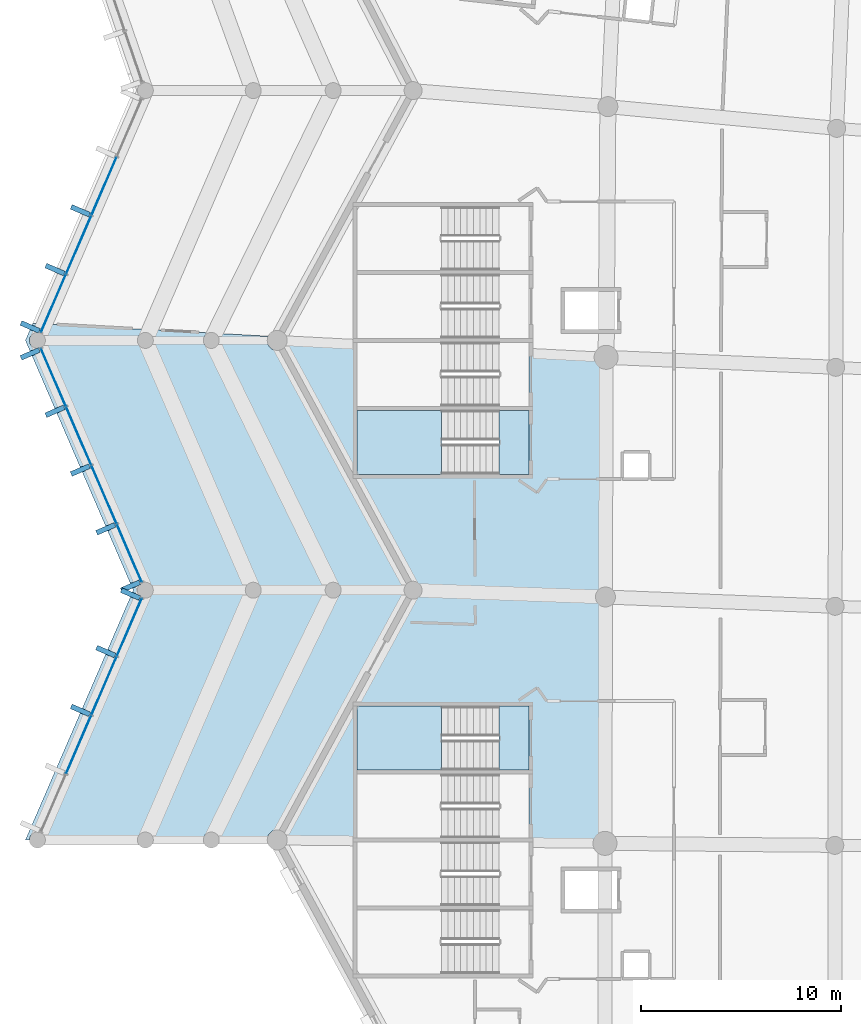
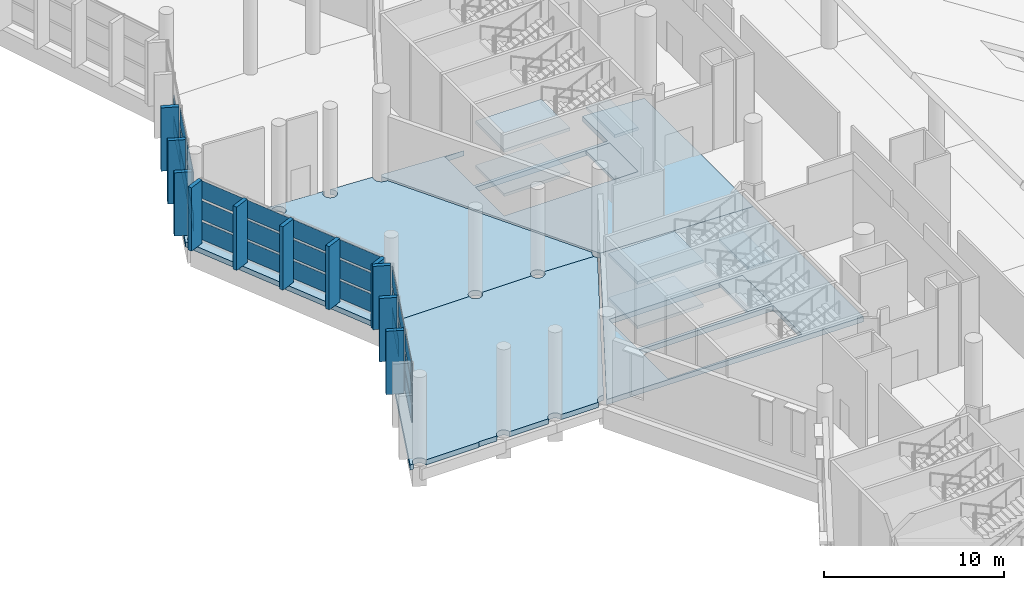
# One storey, part 117 of 249: 40 plates, 12 slabs, 5 elements without a shape of their own.
"""IFC4 building model written with IfcOpenShell, lengths in metres."""

from ifc_helpers import new_model, si_unit, direction, frame, origin, origin_2d, place, context, subcontext, project, spatial, polyline, rectangle, outline, extrude, material, layer, layer_set, type_object, element, aggregate, save


model = new_model("IFC4")

# Units and contexts
model_context = context("Model", 3, precision=1e-05, world=origin(), true_north=direction((0.0, 1.0)))
body_context = subcontext(model_context, "Body", "Model", "MODEL_VIEW")
ifc_project = project(units=[si_unit("LENGTHUNIT", "METRE"), si_unit("AREAUNIT", "SQUARE_METRE"), si_unit("VOLUMEUNIT", "CUBIC_METRE"), si_unit("PLANEANGLEUNIT", "RADIAN"), si_unit("MASSUNIT", "GRAM", prefix="KILO")], contexts=[model_context])

# Site, building, storey
site_placement = place(None, origin())
site = spatial("IfcSite", under=ifc_project, at=site_placement, CompositionType="ELEMENT")
building_placement = place(site_placement, origin())
building = spatial("IfcBuilding", under=site, at=building_placement, Name="Meseta Stadium", CompositionType="ELEMENT")
storey_placement = place(building_placement, frame((0.0, 0.0, 12.0)))
storey = spatial("IfcBuildingStorey", under=building, at=storey_placement, Name="L02", CompositionType="ELEMENT", Elevation=12.0)

# Slabs
ifc_material_1 = material(Name="Concrete C40/50", Category="concrete")
ifc_layer_1 = layer(ifc_material_1, 0.35009765625)
ifc_layer_set_1 = layer_set([ifc_layer_1], Name="Floor slab 350")
slab_type_1 = type_object("IfcSlabType", Name="Floor slab 350", PredefinedType="FLOOR", material=ifc_layer_set_1)
slab_1_placement = place(storey_placement, frame((0.0, 0.0, -0.35009765625)))
element("IfcSlab", 1, at=slab_1_placement, inside=storey, type_object=slab_type_1, Name="Floor slab L02 sector 28 panel 06", PredefinedType="FLOOR", context=body_context, shape_type="SweptSolid", body=[
    extrude(outline(polyline([(-96.176025390625, 31.14990234375), (-101.301513671875, 31.430908203125), (-101.39990234375, 31.25), (-94.60009765625, 18.75), (-84.97314453125, 18.41064453125), (-84.939697265625, 30.533935546875), (-88.800048828125, 30.74560546875), (-88.800048828125, 27.949951171875), (-97.39990234375, 27.949951171875), (-97.39990234375, 31.14990234375), (-96.176025390625, 31.14990234375)]), holes=[polyline([(-97.39990234375, 27.75), (-88.800048828125, 27.75), (-88.800048828125, 24.550048828125), (-97.39990234375, 24.550048828125), (-97.39990234375, 27.75)])]), origin(), (0.0, 0.0, 1.0), 0.35009765625),
])
slab_2_placement = place(storey_placement, frame((0.0, 0.0, -0.35009765625)))
element("IfcSlab", 2, at=slab_2_placement, inside=storey, type_object=slab_type_1, Name="Floor slab L02 sector 28 panel 07", PredefinedType="FLOOR", context=body_context, shape_type="SweptSolid", body=[
    extrude(outline(polyline([(-88.800048828125, 6.14990234375), (-88.800048828125, 6.149169921875), (-84.99755859375, 6.107421875), (-84.97314453125, 18.41064453125), (-94.60009765625, 18.75), (-101.3798828125, 6.287109375), (-88.8798828125, 6.14990234375), (-88.800048828125, 6.14990234375)]), holes=[polyline([(-88.800048828125, 6.35009765625), (-97.39990234375, 6.35009765625), (-97.39990234375, 9.550048828125), (-88.800048828125, 9.550048828125), (-88.800048828125, 6.35009765625)]), polyline([(-88.800048828125, 9.75), (-97.39990234375, 9.75), (-97.39990234375, 12.949951171875), (-88.800048828125, 12.949951171875), (-88.800048828125, 9.75)])]), origin(), (0.0, 0.0, 1.0), 0.35009765625),
])
slab_3_placement = place(storey_placement, frame((0.0, 0.0, -0.35009765625)))
element("IfcSlab", 3, at=slab_3_placement, inside=storey, type_object=slab_type_1, Name="Ring floor slab L02 4 part 1 panel 01", PredefinedType="FLOOR", context=body_context, shape_type="SweptSolid", body=[
    extrude(outline(polyline([(-104.3505859375, 31.04833984375), (-104.414794921875, 30.964599609375), (-104.498291015625, 30.900634765625), (-104.595703125, 30.8603515625), (-104.699951171875, 30.846435546875), (-104.804443359375, 30.8603515625), (-104.901611328125, 30.900634765625), (-104.9853515625, 30.964599609375), (-105.04931640625, 31.04833984375), (-105.089599609375, 31.1455078125), (-105.103515625, 31.25), (-105.089599609375, 31.3544921875), (-105.04931640625, 31.45166015625), (-104.9853515625, 31.535400390625), (-104.901611328125, 31.599365234375), (-104.83984375, 31.625), (-113.6298828125, 32.10693359375), (-114.0, 31.25), (-108.752685546875, 19.103759765625), (-108.218994140625, 19.086181640625), (-108.20166015625, 19.099365234375), (-108.1044921875, 19.1396484375), (-108.0, 19.153564453125), (-107.8955078125, 19.1396484375), (-107.79833984375, 19.099365234375), (-107.714599609375, 19.035400390625), (-107.650634765625, 18.95166015625), (-107.6103515625, 18.8544921875), (-107.596435546875, 18.75), (-103.00341796875, 18.75), (-102.98974609375, 18.8544921875), (-102.949462890625, 18.95166015625), (-102.88525390625, 19.035400390625), (-102.8017578125, 19.099365234375), (-102.704345703125, 19.1396484375), (-102.60009765625, 19.153564453125), (-102.49560546875, 19.1396484375), (-102.398193359375, 19.099365234375), (-102.314697265625, 19.035400390625), (-102.25048828125, 18.95166015625), (-102.224609375, 18.888916015625), (-102.210205078125, 18.8544921875), (-102.196533203125, 18.75), (-99.00341796875, 18.75), (-98.98974609375, 18.8544921875), (-98.949462890625, 18.95166015625), (-98.88525390625, 19.035400390625), (-98.8017578125, 19.099365234375), (-98.704345703125, 19.1396484375), (-98.60009765625, 19.153564453125), (-98.49560546875, 19.1396484375), (-98.398193359375, 19.099365234375), (-98.314697265625, 19.035400390625), (-98.25048828125, 18.95166015625), (-98.210205078125, 18.8544921875), (-98.197509765625, 18.756591796875), (-95.041015625, 18.652587890625), (-95.053955078125, 18.75), (-95.038330078125, 18.867431640625), (-94.9931640625, 18.976806640625), (-94.935302734375, 19.05224609375), (-101.30322265625, 30.75830078125), (-101.39990234375, 30.74560546875), (-101.530517578125, 30.762939453125), (-101.652099609375, 30.813232421875), (-101.756591796875, 30.893310546875), (-101.836669921875, 30.997802734375), (-101.88720703125, 31.119384765625), (-101.904296875, 31.25), (-101.88720703125, 31.380615234375), (-101.853515625, 31.461181640625), (-104.517333984375, 31.607421875), (-104.498291015625, 31.599365234375), (-104.414794921875, 31.535400390625), (-104.3505859375, 31.45166015625), (-104.310302734375, 31.3544921875), (-104.29638671875, 31.25), (-104.310302734375, 31.1455078125), (-104.3505859375, 31.04833984375)]), holes=[polyline([(-107.8955078125, 30.8603515625), (-108.0, 30.846435546875), (-108.1044921875, 30.8603515625), (-108.20166015625, 30.900634765625), (-108.285400390625, 30.964599609375), (-108.349365234375, 31.04833984375), (-108.3896484375, 31.1455078125), (-108.403564453125, 31.25), (-108.3896484375, 31.3544921875), (-108.349365234375, 31.45166015625), (-108.285400390625, 31.535400390625), (-108.20166015625, 31.599365234375), (-108.1044921875, 31.6396484375), (-108.0, 31.653564453125), (-107.8955078125, 31.6396484375), (-107.79833984375, 31.599365234375), (-107.714599609375, 31.535400390625), (-107.650634765625, 31.45166015625), (-107.6103515625, 31.3544921875), (-107.596435546875, 31.25), (-107.6103515625, 31.1455078125), (-107.650634765625, 31.04833984375), (-107.714599609375, 30.964599609375), (-107.79833984375, 30.900634765625), (-107.8955078125, 30.8603515625)]), polyline([(-113.601806640625, 30.900634765625), (-113.685302734375, 30.964599609375), (-113.74951171875, 31.04833984375), (-113.789794921875, 31.1455078125), (-113.803466796875, 31.25), (-113.789794921875, 31.3544921875), (-113.74951171875, 31.45166015625), (-113.685302734375, 31.535400390625), (-113.601806640625, 31.599365234375), (-113.50439453125, 31.6396484375), (-113.39990234375, 31.653564453125), (-113.295654296875, 31.6396484375), (-113.1982421875, 31.599365234375), (-113.11474609375, 31.535400390625), (-113.050537109375, 31.45166015625), (-113.01025390625, 31.3544921875), (-112.99658203125, 31.25), (-113.01025390625, 31.1455078125), (-113.050537109375, 31.04833984375), (-113.11474609375, 30.964599609375), (-113.1982421875, 30.900634765625), (-113.295654296875, 30.8603515625), (-113.39990234375, 30.846435546875), (-113.50439453125, 30.8603515625), (-113.601806640625, 30.900634765625)])]), origin(), (0.0, 0.0, 1.0), 0.35009765625),
])
slab_4_placement = place(storey_placement, frame((0.0, 0.0, -0.35009765625)))
element("IfcSlab", 4, at=slab_4_placement, inside=storey, type_object=slab_type_1, Name="Ring floor slab L02 4 part 1 panel 02", PredefinedType="FLOOR", context=body_context, shape_type="SweptSolid", body=[
    extrude(outline(polyline([(-112.99658203125, 6.25), (-109.60009765625, 6.25), (-109.593994140625, 6.29150390625), (-108.39794921875, 6.29150390625), (-108.3896484375, 6.3544921875), (-108.349365234375, 6.45166015625), (-108.285400390625, 6.535400390625), (-108.20166015625, 6.599365234375), (-108.1044921875, 6.6396484375), (-108.0, 6.653564453125), (-107.8955078125, 6.6396484375), (-107.79833984375, 6.599365234375), (-107.714599609375, 6.535400390625), (-107.650634765625, 6.45166015625), (-107.610595703125, 6.35546875), (-107.60205078125, 6.29150390625), (-105.097900390625, 6.29150390625), (-105.089599609375, 6.3544921875), (-105.04931640625, 6.45166015625), (-104.9853515625, 6.535400390625), (-104.901611328125, 6.599365234375), (-104.804443359375, 6.6396484375), (-104.699951171875, 6.653564453125), (-104.595703125, 6.6396484375), (-104.498291015625, 6.599365234375), (-104.414794921875, 6.535400390625), (-104.3505859375, 6.45166015625), (-104.310302734375, 6.3544921875), (-104.302001953125, 6.29150390625), (-101.898681640625, 6.29150390625), (-101.88720703125, 6.380615234375), (-101.836669921875, 6.502197265625), (-101.756591796875, 6.606689453125), (-101.652099609375, 6.686767578125), (-101.530517578125, 6.737060546875), (-101.39990234375, 6.75439453125), (-101.30322265625, 6.74169921875), (-94.935302734375, 18.44775390625), (-94.9931640625, 18.523193359375), (-95.038330078125, 18.632568359375), (-95.041015625, 18.652587890625), (-98.197509765625, 18.756591796875), (-98.196533203125, 18.75), (-98.210205078125, 18.6455078125), (-98.25048828125, 18.54833984375), (-98.314697265625, 18.464599609375), (-98.398193359375, 18.400634765625), (-98.49560546875, 18.3603515625), (-98.60009765625, 18.346435546875), (-98.704345703125, 18.3603515625), (-98.8017578125, 18.400634765625), (-98.88525390625, 18.464599609375), (-98.949462890625, 18.54833984375), (-98.98974609375, 18.6455078125), (-99.00341796875, 18.75), (-102.196533203125, 18.75), (-102.210205078125, 18.6455078125), (-102.25048828125, 18.54833984375), (-102.314697265625, 18.464599609375), (-102.398193359375, 18.400634765625), (-102.49560546875, 18.3603515625), (-102.60009765625, 18.346435546875), (-102.704345703125, 18.3603515625), (-102.8017578125, 18.400634765625), (-102.88525390625, 18.464599609375), (-102.949462890625, 18.54833984375), (-102.98974609375, 18.6455078125), (-103.00341796875, 18.75), (-107.596435546875, 18.75), (-107.6103515625, 18.6455078125), (-107.650634765625, 18.54833984375), (-107.714599609375, 18.464599609375), (-107.79833984375, 18.400634765625), (-107.8955078125, 18.3603515625), (-108.0, 18.346435546875), (-108.1044921875, 18.3603515625), (-108.20166015625, 18.400634765625), (-108.285400390625, 18.464599609375), (-108.349365234375, 18.54833984375), (-108.3896484375, 18.6455078125), (-108.403564453125, 18.75), (-108.3896484375, 18.8544921875), (-108.349365234375, 18.95166015625), (-108.285400390625, 19.035400390625), (-108.218994140625, 19.086181640625), (-108.752685546875, 19.103759765625), (-108.60009765625, 18.75), (-114.0, 6.25), (-113.803466796875, 6.25), (-113.789794921875, 6.3544921875), (-113.761474609375, 6.4228515625), (-113.74951171875, 6.45166015625), (-113.685302734375, 6.535400390625), (-113.601806640625, 6.599365234375), (-113.50439453125, 6.6396484375), (-113.39990234375, 6.653564453125), (-113.295654296875, 6.6396484375), (-113.1982421875, 6.599365234375), (-113.11474609375, 6.535400390625), (-113.050537109375, 6.45166015625), (-113.035400390625, 6.414794921875), (-113.01025390625, 6.3544921875), (-112.99658203125, 6.25)])), origin(), (0.0, 0.0, 1.0), 0.35009765625),
])

# Curtain wall, plates
ifc_material_2 = material(Name="Aluminium", Category="aluminium")
ifc_layer_2 = layer(ifc_material_2, 0.199951171875)
ifc_layer_set_2 = layer_set([ifc_layer_2], Name="Ring shopfront curtain wall")
curtain_wall_type = type_object("IfcCurtainWallType", Name="Ring shopfront curtain wall", PredefinedType="NOTDEFINED", material=ifc_layer_set_2)
curtain_wall_1_placement = place(storey_placement, origin())
curtain_wall_1 = element("IfcCurtainWall", 5, at=curtain_wall_1_placement, inside=storey, type_object=curtain_wall_type, Name="Ring glazing L02 F29", PredefinedType="NOTDEFINED")
ifc_material_3 = material(Name="Glass", Category="glass")
ifc_layer_3 = layer(ifc_material_3, 0.035888671875)
ifc_layer_set_3 = layer_set([ifc_layer_3], Name="Ring CW glass panel 36")
plate_type_1 = type_object("IfcPlateType", Name="Ring CW glass panel 36", PredefinedType="CURTAIN_PANEL", material=ifc_layer_set_3)
plate_1_placement = place(storey_placement, frame((-110.064697265625, 38.970703125, 0.14990234375), z_axis=(0.0, 0.0, 1.0), x_axis=(-0.396580687073, -0.91799986854, 0.0)))
plate_1 = element("IfcPlate", 6, at=plate_1_placement, type_object=plate_type_1, Name="CWR1 panel 2.1", PredefinedType="CURTAIN_PANEL", context=body_context, shape_type="SweptSolid", body=[
    extrude(rectangle(XDim=3.14404296875, YDim=0.035888671875, at=origin_2d()), origin(), (0.0, 0.0, 1.0), 1.208251953125),
])
plate_2_placement = place(storey_placement, frame((-110.064697265625, 38.970703125, 1.50830078125), z_axis=(0.0, 0.0, 1.0), x_axis=(-0.396580687073, -0.91799986854, 0.0)))
plate_2 = element("IfcPlate", 7, at=plate_2_placement, type_object=plate_type_1, Name="CWR1 panel 2.2", PredefinedType="CURTAIN_PANEL", context=body_context, shape_type="SweptSolid", body=[
    extrude(rectangle(XDim=3.14404296875, YDim=0.035888671875, at=origin_2d()), origin(), (0.0, 0.0, 1.0), 1.283447265625),
])
plate_3_placement = place(storey_placement, frame((-111.33544921875, 36.029296875, 0.14990234375), z_axis=(0.0, 0.0, 1.0), x_axis=(-0.396580687073, -0.91799986854, 0.0)))
plate_3 = element("IfcPlate", 8, at=plate_3_placement, type_object=plate_type_1, Name="CWR1 panel 3.1", PredefinedType="CURTAIN_PANEL", context=body_context, shape_type="SweptSolid", body=[
    extrude(rectangle(XDim=3.14404296875, YDim=0.035888671875, at=origin_2d()), origin(), (0.0, 0.0, 1.0), 1.208251953125),
])
plate_4_placement = place(storey_placement, frame((-111.33544921875, 36.029296875, 1.50830078125), z_axis=(0.0, 0.0, 1.0), x_axis=(-0.396580687073, -0.91799986854, 0.0)))
plate_4 = element("IfcPlate", 9, at=plate_4_placement, type_object=plate_type_1, Name="CWR1 panel 3.2", PredefinedType="CURTAIN_PANEL", context=body_context, shape_type="SweptSolid", body=[
    extrude(rectangle(XDim=3.14404296875, YDim=0.035888671875, at=origin_2d()), origin(), (0.0, 0.0, 1.0), 1.283447265625),
])
plate_5_placement = place(storey_placement, frame((-111.33544921875, 36.029296875, 2.94189453125), z_axis=(0.0, 0.0, 1.0), x_axis=(-0.396580687073, -0.91799986854, 0.0)))
plate_5 = element("IfcPlate", 10, at=plate_5_placement, type_object=plate_type_1, Name="CWR1 panel 3.3", PredefinedType="CURTAIN_PANEL", context=body_context, shape_type="SweptSolid", body=[
    extrude(rectangle(XDim=3.14404296875, YDim=0.035888671875, at=origin_2d()), origin(), (0.0, 0.0, 1.0), 1.208251953125),
])
plate_6_placement = place(storey_placement, frame((-112.60009765625, 33.1015625, 0.14990234375), z_axis=(0.0, 0.0, 1.0), x_axis=(-0.396580687073, -0.91799986854, 0.0)))
plate_6 = element("IfcPlate", 11, at=plate_6_placement, type_object=plate_type_1, Name="CWR1 panel 4.1", PredefinedType="CURTAIN_PANEL", context=body_context, shape_type="SweptSolid", body=[
    extrude(rectangle(XDim=3.1142578125, YDim=0.035888671875, at=origin_2d()), origin(), (0.0, 0.0, 1.0), 1.208251953125),
])
plate_7_placement = place(storey_placement, frame((-112.60009765625, 33.1015625, 1.50830078125), z_axis=(0.0, 0.0, 1.0), x_axis=(-0.396580687073, -0.91799986854, 0.0)))
plate_7 = element("IfcPlate", 12, at=plate_7_placement, type_object=plate_type_1, Name="CWR1 panel 4.2", PredefinedType="CURTAIN_PANEL", context=body_context, shape_type="SweptSolid", body=[
    extrude(rectangle(XDim=3.1142578125, YDim=0.035888671875, at=origin_2d()), origin(), (0.0, 0.0, 1.0), 1.283447265625),
])
plate_8_placement = place(storey_placement, frame((-112.60009765625, 33.1015625, 2.94189453125), z_axis=(0.0, 0.0, 1.0), x_axis=(-0.396580687073, -0.91799986854, 0.0)))
plate_8 = element("IfcPlate", 13, at=plate_8_placement, type_object=plate_type_1, Name="CWR1 panel 4.3", PredefinedType="CURTAIN_PANEL", context=body_context, shape_type="SweptSolid", body=[
    extrude(rectangle(XDim=3.1142578125, YDim=0.035888671875, at=origin_2d()), origin(), (0.0, 0.0, 1.0), 1.208251953125),
])
aggregate(curtain_wall_1, [plate_1, plate_2, plate_3, plate_4, plate_5, plate_6, plate_7, plate_8])

curtain_wall_2_placement = place(storey_placement, origin())
curtain_wall_2 = element("IfcCurtainWall", 14, at=curtain_wall_2_placement, inside=storey, type_object=curtain_wall_type, Name="Ring glazing L02 F30", PredefinedType="NOTDEFINED")
plate_9_placement = place(storey_placement, frame((-112.60009765625, 29.3984375, 0.14990234375), z_axis=(0.0, 0.0, 1.0), x_axis=(0.396580687073, -0.91799986854, 0.0)))
plate_9 = element("IfcPlate", 15, at=plate_9_placement, type_object=plate_type_1, Name="CWR1 panel 1.1", PredefinedType="CURTAIN_PANEL", context=body_context, shape_type="SweptSolid", body=[
    extrude(rectangle(XDim=3.1142578125, YDim=0.035888671875, at=origin_2d()), origin(), (0.0, 0.0, 1.0), 1.208251953125),
])
plate_10_placement = place(storey_placement, frame((-112.60009765625, 29.3984375, 1.50830078125), z_axis=(0.0, 0.0, 1.0), x_axis=(0.396580687073, -0.91799986854, 0.0)))
plate_10 = element("IfcPlate", 16, at=plate_10_placement, type_object=plate_type_1, Name="CWR1 panel 1.2", PredefinedType="CURTAIN_PANEL", context=body_context, shape_type="SweptSolid", body=[
    extrude(rectangle(XDim=3.1142578125, YDim=0.035888671875, at=origin_2d()), origin(), (0.0, 0.0, 1.0), 1.283447265625),
])
plate_11_placement = place(storey_placement, frame((-112.60009765625, 29.3984375, 2.94189453125), z_axis=(0.0, 0.0, 1.0), x_axis=(0.396580687073, -0.91799986854, 0.0)))
plate_11 = element("IfcPlate", 17, at=plate_11_placement, type_object=plate_type_1, Name="CWR1 panel 1.3", PredefinedType="CURTAIN_PANEL", context=body_context, shape_type="SweptSolid", body=[
    extrude(rectangle(XDim=3.1142578125, YDim=0.035888671875, at=origin_2d()), origin(), (0.0, 0.0, 1.0), 1.208251953125),
])
plate_12_placement = place(storey_placement, frame((-111.33544921875, 26.470703125, 0.14990234375), z_axis=(0.0, 0.0, 1.0), x_axis=(0.396580687073, -0.91799986854, 0.0)))
plate_12 = element("IfcPlate", 18, at=plate_12_placement, type_object=plate_type_1, Name="CWR1 panel 2.1", PredefinedType="CURTAIN_PANEL", context=body_context, shape_type="SweptSolid", body=[
    extrude(rectangle(XDim=3.14404296875, YDim=0.035888671875, at=origin_2d()), origin(), (0.0, 0.0, 1.0), 1.208251953125),
])
plate_13_placement = place(storey_placement, frame((-111.33544921875, 26.470703125, 1.50830078125), z_axis=(0.0, 0.0, 1.0), x_axis=(0.396580687073, -0.91799986854, 0.0)))
plate_13 = element("IfcPlate", 19, at=plate_13_placement, type_object=plate_type_1, Name="CWR1 panel 2.2", PredefinedType="CURTAIN_PANEL", context=body_context, shape_type="SweptSolid", body=[
    extrude(rectangle(XDim=3.14404296875, YDim=0.035888671875, at=origin_2d()), origin(), (0.0, 0.0, 1.0), 1.283447265625),
])
plate_14_placement = place(storey_placement, frame((-111.33544921875, 26.470703125, 2.94189453125), z_axis=(0.0, 0.0, 1.0), x_axis=(0.396580687073, -0.91799986854, 0.0)))
plate_14 = element("IfcPlate", 20, at=plate_14_placement, type_object=plate_type_1, Name="CWR1 panel 2.3", PredefinedType="CURTAIN_PANEL", context=body_context, shape_type="SweptSolid", body=[
    extrude(rectangle(XDim=3.14404296875, YDim=0.035888671875, at=origin_2d()), origin(), (0.0, 0.0, 1.0), 1.208251953125),
])
plate_15_placement = place(storey_placement, frame((-110.064697265625, 23.529296875, 0.14990234375), z_axis=(0.0, 0.0, 1.0), x_axis=(0.396580687073, -0.91799986854, 0.0)))
plate_15 = element("IfcPlate", 21, at=plate_15_placement, type_object=plate_type_1, Name="CWR1 panel 3.1", PredefinedType="CURTAIN_PANEL", context=body_context, shape_type="SweptSolid", body=[
    extrude(rectangle(XDim=3.14404296875, YDim=0.035888671875, at=origin_2d()), origin(), (0.0, 0.0, 1.0), 1.208251953125),
])
plate_16_placement = place(storey_placement, frame((-110.064697265625, 23.529296875, 1.50830078125), z_axis=(0.0, 0.0, 1.0), x_axis=(0.396580687073, -0.91799986854, 0.0)))
plate_16 = element("IfcPlate", 22, at=plate_16_placement, type_object=plate_type_1, Name="CWR1 panel 3.2", PredefinedType="CURTAIN_PANEL", context=body_context, shape_type="SweptSolid", body=[
    extrude(rectangle(XDim=3.14404296875, YDim=0.035888671875, at=origin_2d()), origin(), (0.0, 0.0, 1.0), 1.283447265625),
])
plate_17_placement = place(storey_placement, frame((-110.064697265625, 23.529296875, 2.94189453125), z_axis=(0.0, 0.0, 1.0), x_axis=(0.396580687073, -0.91799986854, 0.0)))
plate_17 = element("IfcPlate", 23, at=plate_17_placement, type_object=plate_type_1, Name="CWR1 panel 3.3", PredefinedType="CURTAIN_PANEL", context=body_context, shape_type="SweptSolid", body=[
    extrude(rectangle(XDim=3.14404296875, YDim=0.035888671875, at=origin_2d()), origin(), (0.0, 0.0, 1.0), 1.208251953125),
])
plate_18_placement = place(storey_placement, frame((-108.7998046875, 20.6015625, 0.14990234375), z_axis=(0.0, 0.0, 1.0), x_axis=(0.396580687073, -0.91799986854, 0.0)))
plate_18 = element("IfcPlate", 24, at=plate_18_placement, type_object=plate_type_1, Name="CWR1 panel 4.1", PredefinedType="CURTAIN_PANEL", context=body_context, shape_type="SweptSolid", body=[
    extrude(rectangle(XDim=3.1142578125, YDim=0.035888671875, at=origin_2d()), origin(), (0.0, 0.0, 1.0), 1.208251953125),
])
plate_19_placement = place(storey_placement, frame((-108.7998046875, 20.6015625, 1.50830078125), z_axis=(0.0, 0.0, 1.0), x_axis=(0.396580687073, -0.91799986854, 0.0)))
plate_19 = element("IfcPlate", 25, at=plate_19_placement, type_object=plate_type_1, Name="CWR1 panel 4.2", PredefinedType="CURTAIN_PANEL", context=body_context, shape_type="SweptSolid", body=[
    extrude(rectangle(XDim=3.1142578125, YDim=0.035888671875, at=origin_2d()), origin(), (0.0, 0.0, 1.0), 1.283447265625),
])
plate_20_placement = place(storey_placement, frame((-108.7998046875, 20.6015625, 2.94189453125), z_axis=(0.0, 0.0, 1.0), x_axis=(0.396580687073, -0.91799986854, 0.0)))
plate_20 = element("IfcPlate", 26, at=plate_20_placement, type_object=plate_type_1, Name="CWR1 panel 4.3", PredefinedType="CURTAIN_PANEL", context=body_context, shape_type="SweptSolid", body=[
    extrude(rectangle(XDim=3.1142578125, YDim=0.035888671875, at=origin_2d()), origin(), (0.0, 0.0, 1.0), 1.208251953125),
])
aggregate(curtain_wall_2, [plate_9, plate_10, plate_11, plate_12, plate_13, plate_14, plate_15, plate_16, plate_17, plate_18, plate_19, plate_20])

curtain_wall_3_placement = place(storey_placement, origin())
curtain_wall_3 = element("IfcCurtainWall", 27, at=curtain_wall_3_placement, inside=storey, type_object=curtain_wall_type, Name="Ring glazing L02 F31", PredefinedType="NOTDEFINED")
plate_21_placement = place(storey_placement, frame((-108.7998046875, 16.8984375, 0.14990234375), z_axis=(0.0, 0.0, 1.0), x_axis=(-0.396580687073, -0.91799986854, 0.0)))
plate_21 = element("IfcPlate", 28, at=plate_21_placement, type_object=plate_type_1, Name="CWR1 panel 1.1", PredefinedType="CURTAIN_PANEL", context=body_context, shape_type="SweptSolid", body=[
    extrude(rectangle(XDim=3.1142578125, YDim=0.035888671875, at=origin_2d()), origin(), (0.0, 0.0, 1.0), 1.208251953125),
])
plate_22_placement = place(storey_placement, frame((-108.7998046875, 16.8984375, 1.50830078125), z_axis=(0.0, 0.0, 1.0), x_axis=(-0.396580687073, -0.91799986854, 0.0)))
plate_22 = element("IfcPlate", 29, at=plate_22_placement, type_object=plate_type_1, Name="CWR1 panel 1.2", PredefinedType="CURTAIN_PANEL", context=body_context, shape_type="SweptSolid", body=[
    extrude(rectangle(XDim=3.1142578125, YDim=0.035888671875, at=origin_2d()), origin(), (0.0, 0.0, 1.0), 1.283447265625),
])
plate_23_placement = place(storey_placement, frame((-108.7998046875, 16.8984375, 2.94189453125), z_axis=(0.0, 0.0, 1.0), x_axis=(-0.396580687073, -0.91799986854, 0.0)))
plate_23 = element("IfcPlate", 30, at=plate_23_placement, type_object=plate_type_1, Name="CWR1 panel 1.3", PredefinedType="CURTAIN_PANEL", context=body_context, shape_type="SweptSolid", body=[
    extrude(rectangle(XDim=3.1142578125, YDim=0.035888671875, at=origin_2d()), origin(), (0.0, 0.0, 1.0), 1.208251953125),
])
plate_24_placement = place(storey_placement, frame((-110.064697265625, 13.970703125, 0.14990234375), z_axis=(0.0, 0.0, 1.0), x_axis=(-0.396580687073, -0.91799986854, 0.0)))
plate_24 = element("IfcPlate", 31, at=plate_24_placement, type_object=plate_type_1, Name="CWR1 panel 2.1", PredefinedType="CURTAIN_PANEL", context=body_context, shape_type="SweptSolid", body=[
    extrude(rectangle(XDim=3.14404296875, YDim=0.035888671875, at=origin_2d()), origin(), (0.0, 0.0, 1.0), 1.208251953125),
])
plate_25_placement = place(storey_placement, frame((-110.064697265625, 13.970703125, 1.50830078125), z_axis=(0.0, 0.0, 1.0), x_axis=(-0.396580687073, -0.91799986854, 0.0)))
plate_25 = element("IfcPlate", 32, at=plate_25_placement, type_object=plate_type_1, Name="CWR1 panel 2.2", PredefinedType="CURTAIN_PANEL", context=body_context, shape_type="SweptSolid", body=[
    extrude(rectangle(XDim=3.14404296875, YDim=0.035888671875, at=origin_2d()), origin(), (0.0, 0.0, 1.0), 1.283447265625),
])
plate_26_placement = place(storey_placement, frame((-110.064697265625, 13.970703125, 2.94189453125), z_axis=(0.0, 0.0, 1.0), x_axis=(-0.396580687073, -0.91799986854, 0.0)))
plate_26 = element("IfcPlate", 33, at=plate_26_placement, type_object=plate_type_1, Name="CWR1 panel 2.3", PredefinedType="CURTAIN_PANEL", context=body_context, shape_type="SweptSolid", body=[
    extrude(rectangle(XDim=3.14404296875, YDim=0.035888671875, at=origin_2d()), origin(), (0.0, 0.0, 1.0), 1.208251953125),
])
plate_27_placement = place(storey_placement, frame((-111.33544921875, 11.029296875, 0.14990234375), z_axis=(0.0, 0.0, 1.0), x_axis=(-0.396580687073, -0.91799986854, 0.0)))
plate_27 = element("IfcPlate", 34, at=plate_27_placement, type_object=plate_type_1, Name="CWR1 panel 3.1", PredefinedType="CURTAIN_PANEL", context=body_context, shape_type="SweptSolid", body=[
    extrude(rectangle(XDim=3.14404296875, YDim=0.035888671875, at=origin_2d()), origin(), (0.0, 0.0, 1.0), 1.208251953125),
])
plate_28_placement = place(storey_placement, frame((-111.33544921875, 11.029296875, 1.50830078125), z_axis=(0.0, 0.0, 1.0), x_axis=(-0.396580687073, -0.91799986854, 0.0)))
plate_28 = element("IfcPlate", 35, at=plate_28_placement, type_object=plate_type_1, Name="CWR1 panel 3.2", PredefinedType="CURTAIN_PANEL", context=body_context, shape_type="SweptSolid", body=[
    extrude(rectangle(XDim=3.14404296875, YDim=0.035888671875, at=origin_2d()), origin(), (0.0, 0.0, 1.0), 1.283447265625),
])
plate_29_placement = place(storey_placement, frame((-111.33544921875, 11.029296875, 2.94189453125), z_axis=(0.0, 0.0, 1.0), x_axis=(-0.396580687073, -0.91799986854, 0.0)))
plate_29 = element("IfcPlate", 36, at=plate_29_placement, type_object=plate_type_1, Name="CWR1 panel 3.3", PredefinedType="CURTAIN_PANEL", context=body_context, shape_type="SweptSolid", body=[
    extrude(rectangle(XDim=3.14404296875, YDim=0.035888671875, at=origin_2d()), origin(), (0.0, 0.0, 1.0), 1.208251953125),
])
aggregate(curtain_wall_3, [plate_21, plate_22, plate_23, plate_24, plate_25, plate_26, plate_27, plate_28, plate_29])

# Plates
ifc_material_4 = material(Name="Precast concrete C40/50", Category="concrete")
ifc_layer_4 = layer(ifc_material_4, 0.25)
ifc_layer_set_4 = layer_set([ifc_layer_4], Name="Ring brise-soleil fin 250x1000")
plate_type_2 = type_object("IfcPlateType", Name="Ring brise-soleil fin 250x1000", PredefinedType="USERDEFINED", material=ifc_layer_set_4)
for number, where, z_axis, x_axis, name in (
    (37, (-111.250732421875, 37.73779296875, 0.0), (0.0, 0.0, 1.0), (-0.396575976693, -0.918001903435, 0.0), "Brise-soleil fin L02 F29.3"),
    (38, (-112.521484375, 34.79638671875, 0.0), (0.0, 0.0, 1.0), (-0.396575976693, -0.918001903435, 0.0), "Brise-soleil fin L02 F29.4"),
    (39, (-113.762451171875, 31.924072265625, 0.0), (0.0, 0.0, 1.0), (-0.396575976693, -0.918001903435, 0.0), "Brise-soleil fin L02 F29.5"),
    (40, (-113.762451171875, 30.575927734375, 0.0), (0.0, 0.0, 1.0), (0.396575976693, -0.918001903435, 0.0), "Brise-soleil fin L02 F30.1"),
    (41, (-112.521484375, 27.70361328125, 0.0), (0.0, 0.0, 1.0), (0.396575976693, -0.918001903435, 0.0), "Brise-soleil fin L02 F30.2"),
    (42, (-111.250732421875, 24.76220703125, 0.0), (0.0, 0.0, 1.0), (0.396575976693, -0.918001903435, 0.0), "Brise-soleil fin L02 F30.3"),
    (43, (-109.97998046875, 21.82080078125, 0.0), (0.0, 0.0, 1.0), (0.396575976693, -0.918001903435, 0.0), "Brise-soleil fin L02 F30.4"),
    (44, (-108.7392578125, 18.947998046875, 0.0), (0.0, 0.0, 1.0), (0.396575976693, -0.918001903435, 0.0), "Brise-soleil fin L02 F30.5"),
    (45, (-108.7392578125, 18.552001953125, 0.0), (0.0, 0.0, 1.0), (-0.396575976693, -0.918001903435, 0.0), "Brise-soleil fin L02 F31.1"),
    (46, (-109.97998046875, 15.67919921875, 0.0), (0.0, 0.0, 1.0), (-0.396575976693, -0.918001903435, 0.0), "Brise-soleil fin L02 F31.2"),
    (47, (-111.250732421875, 12.73779296875, 0.0), (0.0, 0.0, 1.0), (-0.396575976693, -0.918001903435, 0.0), "Brise-soleil fin L02 F31.3"),
):
    element("IfcPlate", number, at=place(storey_placement, frame(where, z_axis=z_axis, x_axis=x_axis)), inside=storey, type_object=plate_type_2, Name=name, ObjectType="FIN", PredefinedType="USERDEFINED", context=body_context, shape_type="SweptSolid", body=[
        extrude(rectangle(XDim=0.25, YDim=1.0, at=origin_2d()), origin(), (0.0, 0.0, 1.0), 4.300048828125),
    ])

# Stair, slabs
ifc_material_5 = material(Name="Concrete C40/50", Category="concrete")
stair_type = type_object("IfcStairType", Name="Exit stair 4 flights 150 mm risers", PredefinedType="HALF_TURN_STAIR", material=ifc_material_5)
stair_1_placement = place(storey_placement, origin())
stair_1 = element("IfcStair", 48, at=stair_1_placement, inside=storey, type_object=stair_type, Name="ST64 L02", PredefinedType="HALF_TURN_STAIR")
ifc_material_6 = material(Name="Concrete C40/50", Category="concrete")
ifc_layer_5 = layer(ifc_material_6, 0.199951171875)
ifc_layer_set_5 = layer_set([ifc_layer_5], Name="Stair landing 200")
slab_type_2 = type_object("IfcSlabType", Name="Stair landing 200", PredefinedType="LANDING", material=ifc_layer_set_5)
slab_5_placement = place(storey_placement, frame((0.0, 0.0, 1.300048828125)))
slab_5 = element("IfcSlab", 49, at=slab_5_placement, type_object=slab_type_2, Name="ST64 L02 landing 1", PredefinedType="LANDING", context=body_context, shape_type="SweptSolid", body=[
    extrude(outline(polyline([(-93.169921875, 27.75), (-97.39990234375, 27.75), (-97.39990234375, 24.550048828125), (-93.169921875, 24.550048828125), (-93.169921875, 27.75)])), origin(), (0.0, 0.0, 1.0), 0.199951171875),
])
slab_6_placement = place(storey_placement, frame((0.0, 0.0, 2.800048828125)))
slab_6 = element("IfcSlab", 50, at=slab_6_placement, type_object=slab_type_2, Name="ST64 L02 landing 2", PredefinedType="LANDING", context=body_context, shape_type="SweptSolid", body=[
    extrude(outline(polyline([(-88.800048828125, 27.75), (-90.31005859375, 27.75), (-90.31005859375, 24.550048828125), (-88.800048828125, 24.550048828125), (-88.800048828125, 27.75)])), origin(), (0.0, 0.0, 1.0), 0.199951171875),
])
slab_7_placement = place(storey_placement, frame((0.0, 0.0, 4.300048828125)))
slab_7 = element("IfcSlab", 51, at=slab_7_placement, type_object=slab_type_2, Name="ST64 L02 landing 3", PredefinedType="LANDING", context=body_context, shape_type="SweptSolid", body=[
    extrude(outline(polyline([(-93.169921875, 27.75), (-97.39990234375, 27.75), (-97.39990234375, 24.550048828125), (-93.169921875, 24.550048828125), (-93.169921875, 27.75)])), origin(), (0.0, 0.0, 1.0), 0.199951171875),
])
slab_8_placement = place(storey_placement, frame((0.0, 0.0, -0.199951171875)))
slab_8 = element("IfcSlab", 52, at=slab_8_placement, type_object=slab_type_2, Name="ST64 L02 landing 4", PredefinedType="LANDING", context=body_context, shape_type="SweptSolid", body=[
    extrude(outline(polyline([(-88.800048828125, 27.75), (-90.31005859375, 27.75), (-90.31005859375, 24.550048828125), (-88.800048828125, 24.550048828125), (-88.800048828125, 27.75)])), origin(), (0.0, 0.0, 1.0), 0.199951171875),
])
aggregate(stair_1, [slab_5, slab_6, slab_7, slab_8])

stair_2_placement = place(storey_placement, origin())
stair_2 = element("IfcStair", 53, at=stair_2_placement, inside=storey, type_object=stair_type, Name="ST65 L02", PredefinedType="HALF_TURN_STAIR")
slab_9_placement = place(storey_placement, frame((0.0, 0.0, 1.300048828125)))
slab_9 = element("IfcSlab", 54, at=slab_9_placement, type_object=slab_type_2, Name="ST65 L02 landing 1", PredefinedType="LANDING", context=body_context, shape_type="SweptSolid", body=[
    extrude(outline(polyline([(-93.169921875, 12.949951171875), (-97.39990234375, 12.949951171875), (-97.39990234375, 9.75), (-93.169921875, 9.75), (-93.169921875, 12.949951171875)])), origin(), (0.0, 0.0, 1.0), 0.199951171875),
])
slab_10_placement = place(storey_placement, frame((0.0, 0.0, 2.800048828125)))
slab_10 = element("IfcSlab", 55, at=slab_10_placement, type_object=slab_type_2, Name="ST65 L02 landing 2", PredefinedType="LANDING", context=body_context, shape_type="SweptSolid", body=[
    extrude(outline(polyline([(-88.800048828125, 12.949951171875), (-90.31005859375, 12.949951171875), (-90.31005859375, 9.75), (-88.800048828125, 9.75), (-88.800048828125, 12.949951171875)])), origin(), (0.0, 0.0, 1.0), 0.199951171875),
])
slab_11_placement = place(storey_placement, frame((0.0, 0.0, 4.300048828125)))
slab_11 = element("IfcSlab", 56, at=slab_11_placement, type_object=slab_type_2, Name="ST65 L02 landing 3", PredefinedType="LANDING", context=body_context, shape_type="SweptSolid", body=[
    extrude(outline(polyline([(-93.169921875, 12.949951171875), (-97.39990234375, 12.949951171875), (-97.39990234375, 9.75), (-93.169921875, 9.75), (-93.169921875, 12.949951171875)])), origin(), (0.0, 0.0, 1.0), 0.199951171875),
])
slab_12_placement = place(storey_placement, frame((0.0, 0.0, -0.199951171875)))
slab_12 = element("IfcSlab", 57, at=slab_12_placement, type_object=slab_type_2, Name="ST65 L02 landing 4", PredefinedType="LANDING", context=body_context, shape_type="SweptSolid", body=[
    extrude(outline(polyline([(-88.800048828125, 12.949951171875), (-90.31005859375, 12.949951171875), (-90.31005859375, 9.75), (-88.800048828125, 9.75), (-88.800048828125, 12.949951171875)])), origin(), (0.0, 0.0, 1.0), 0.199951171875),
])
aggregate(stair_2, [slab_9, slab_10, slab_11, slab_12])

save(model, "model.ifc")
